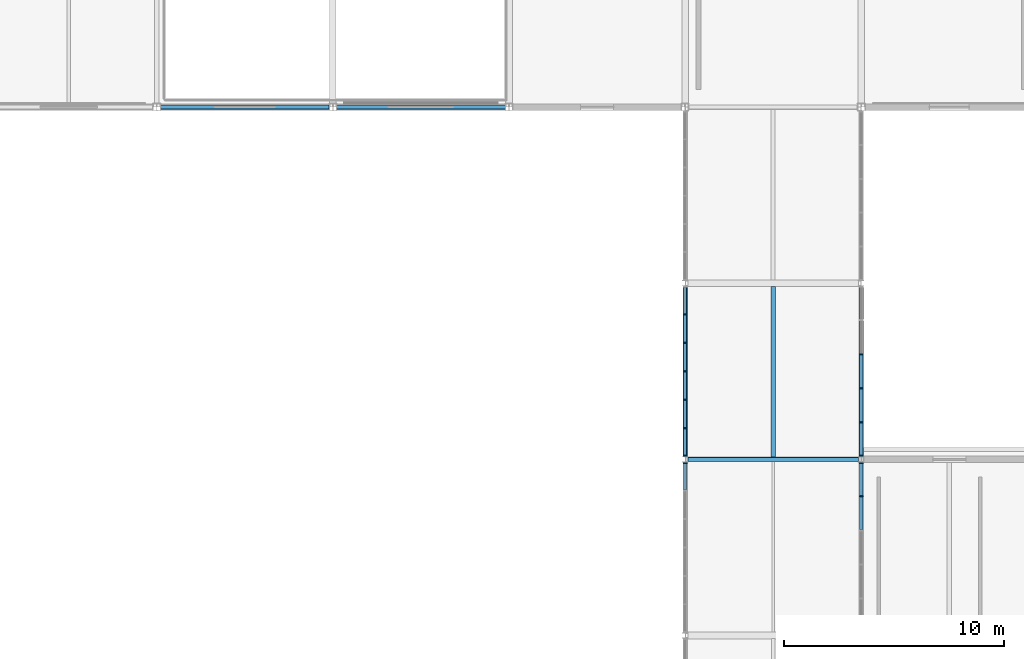
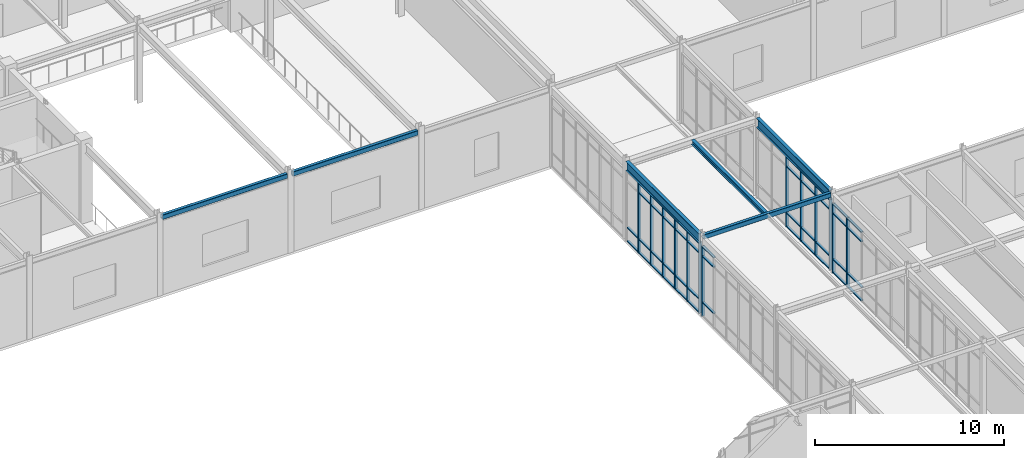
# One storey, part 58 of 184: 58 members, 6 beams, 4 elements without a shape of their own.
"""IFC4 building model written with IfcOpenShell, lengths in metres."""

from ifc_helpers import new_model, si_unit, direction, frame, origin, origin_2d, place, context, subcontext, project, spatial, rectangle, hollow_rectangle, i_section, extrude, material, material_profile, profile_set, type_object, element, aggregate, save


model = new_model("IFC4")

# Units and contexts
model_context = context("Model", 3, precision=1e-05, world=origin(), true_north=direction((0.0, 1.0)))
body_context = subcontext(model_context, "Body", "Model", "MODEL_VIEW")
ifc_project = project(units=[si_unit("LENGTHUNIT", "METRE"), si_unit("AREAUNIT", "SQUARE_METRE"), si_unit("VOLUMEUNIT", "CUBIC_METRE"), si_unit("PLANEANGLEUNIT", "RADIAN"), si_unit("MASSUNIT", "GRAM", prefix="KILO")], contexts=[model_context])

# Site, building, storey
site_placement = place(None, origin())
site = spatial("IfcSite", under=ifc_project, at=site_placement, CompositionType="ELEMENT")
building_placement = place(site_placement, origin())
building = spatial("IfcBuilding", under=site, at=building_placement, Name="Zhaolan Boulevard Law Courts", CompositionType="ELEMENT")
storey_placement = place(building_placement, frame((0.0, 0.0, 5.39990234375)))
storey = spatial("IfcBuildingStorey", under=building, at=storey_placement, Name="L01", CompositionType="ELEMENT", Elevation=5.39990234375)

# Curtain wall, member
ifc_material_1 = material(Name="Thermally broken aluminium and low-E glazing", Category="aluminium")
curtain_wall_type_1 = type_object("IfcCurtainWallType", Name="CURTAIN WALL M3", PredefinedType="USERDEFINED", material=ifc_material_1)
curtain_wall_1_placement = place(storey_placement, origin())
curtain_wall_1 = element("IfcCurtainWall", 1, at=curtain_wall_1_placement, inside=storey, type_object=curtain_wall_type_1, Name="Curtain Wall CW-L01-075", ObjectType="CURTAIN WALL", PredefinedType="USERDEFINED")
ifc_material_2 = material(Name="Fluorocarbon-coated aluminium 6063-T6", Category="aluminium")
ifc_material_profile_1 = material_profile(ifc_material_2, rectangle(XDim=0.179931640625, YDim=0.06494140625, at=origin_2d()), Name="AL65x180")
ifc_profile_set_1 = profile_set([ifc_material_profile_1], Name="Fluorocarbon-coated aluminium 6063-T6")
member_type_1 = type_object("IfcMemberType", Name="CWMULLION 65X180", PredefinedType="MULLION", material=ifc_profile_set_1)
member_1_placement = place(storey_placement, frame((116.0, 45.840576171875, 0.0), z_axis=(0.0, 0.0, 1.0), x_axis=(1.0, 0.0, 0.0)))
member_1 = element("IfcMember", 2, at=member_1_placement, type_object=member_type_1, Name="CW-L01-075 mullion 1", PredefinedType="MULLION", context=body_context, shape_type="SweptSolid", body=[
    extrude(rectangle(XDim=0.179931640625, YDim=0.06494140625, at=origin_2d()), origin(), (0.0, 0.0, 1.0), 4.552978515625),
])

# Curtain wall, members
ifc_material_3 = material(Name="Thermally broken aluminium and low-E glazing", Category="aluminium")
curtain_wall_type_2 = type_object("IfcCurtainWallType", Name="CURTAIN WALL M4", PredefinedType="USERDEFINED", material=ifc_material_3)
curtain_wall_2_placement = place(storey_placement, origin())
curtain_wall_2 = element("IfcCurtainWall", 3, at=curtain_wall_2_placement, inside=storey, type_object=curtain_wall_type_2, Name="Curtain Wall CW-L01-076", ObjectType="CURTAIN WALL", PredefinedType="USERDEFINED")
member_2_placement = place(storey_placement, frame((116.0, 52.58203125, 0.0), z_axis=(0.0, 0.0, 1.0), x_axis=(1.0, 0.0, 0.0)))
member_2 = element("IfcMember", 4, at=member_2_placement, type_object=member_type_1, Name="CW-L01-076 mullion 2", PredefinedType="MULLION", context=body_context, shape_type="SweptSolid", body=[
    extrude(rectangle(XDim=0.179931640625, YDim=0.06494140625, at=origin_2d()), origin(), (0.0, 0.0, 1.0), 4.552978515625),
])
member_3_placement = place(storey_placement, frame((116.0, 51.291015625, 0.0), z_axis=(0.0, 0.0, 1.0), x_axis=(1.0, 0.0, 0.0)))
member_3 = element("IfcMember", 5, at=member_3_placement, type_object=member_type_1, Name="CW-L01-076 mullion 3", PredefinedType="MULLION", context=body_context, shape_type="SweptSolid", body=[
    extrude(rectangle(XDim=0.179931640625, YDim=0.06494140625, at=origin_2d()), origin(), (0.0, 0.0, 1.0), 4.552978515625),
])
member_4_placement = place(storey_placement, frame((116.0, 50.0, 0.0), z_axis=(0.0, 0.0, 1.0), x_axis=(1.0, 0.0, 0.0)))
member_4 = element("IfcMember", 6, at=member_4_placement, type_object=member_type_1, Name="CW-L01-076 mullion 4", PredefinedType="MULLION", context=body_context, shape_type="SweptSolid", body=[
    extrude(rectangle(XDim=0.179931640625, YDim=0.06494140625, at=origin_2d()), origin(), (0.0, 0.0, 1.0), 4.552978515625),
])
member_5_placement = place(storey_placement, frame((116.0, 48.708984375, 0.0), z_axis=(0.0, 0.0, 1.0), x_axis=(1.0, 0.0, 0.0)))
member_5 = element("IfcMember", 7, at=member_5_placement, type_object=member_type_1, Name="CW-L01-076 mullion 5", PredefinedType="MULLION", context=body_context, shape_type="SweptSolid", body=[
    extrude(rectangle(XDim=0.179931640625, YDim=0.06494140625, at=origin_2d()), origin(), (0.0, 0.0, 1.0), 4.552978515625),
])
member_6_placement = place(storey_placement, frame((116.0, 47.41796875, 0.0), z_axis=(0.0, 0.0, 1.0), x_axis=(1.0, 0.0, 0.0)))
member_6 = element("IfcMember", 8, at=member_6_placement, type_object=member_type_1, Name="CW-L01-076 mullion 6", PredefinedType="MULLION", context=body_context, shape_type="SweptSolid", body=[
    extrude(rectangle(XDim=0.179931640625, YDim=0.06494140625, at=origin_2d()), origin(), (0.0, 0.0, 1.0), 4.552978515625),
])
member_7_placement = place(storey_placement, frame((116.0, 46.159423828125, 0.0), z_axis=(0.0, 0.0, 1.0), x_axis=(1.0, 0.0, 0.0)))
member_7 = element("IfcMember", 9, at=member_7_placement, type_object=member_type_1, Name="CW-L01-076 mullion 7", PredefinedType="MULLION", context=body_context, shape_type="SweptSolid", body=[
    extrude(rectangle(XDim=0.179931640625, YDim=0.06494140625, at=origin_2d()), origin(), (0.0, 0.0, 1.0), 4.552978515625),
])

ifc_material_4 = material(Name="Thermally broken aluminium and low-E glazing", Category="aluminium")
curtain_wall_type_3 = type_object("IfcCurtainWallType", Name="CURTAIN WALL M7", PredefinedType="USERDEFINED", material=ifc_material_4)
curtain_wall_3_placement = place(storey_placement, origin())
curtain_wall_3 = element("IfcCurtainWall", 10, at=curtain_wall_3_placement, inside=storey, type_object=curtain_wall_type_3, Name="Curtain Wall CW-L01-079", ObjectType="CURTAIN WALL", PredefinedType="USERDEFINED")
member_8_placement = place(storey_placement, frame((124.0, 44.32373046875, 0.0), z_axis=(0.0, 0.0, 1.0), x_axis=(-1.0, 0.0, 0.0)))
member_8 = element("IfcMember", 11, at=member_8_placement, type_object=member_type_1, Name="CW-L01-079 mullion 5", PredefinedType="MULLION", context=body_context, shape_type="SweptSolid", body=[
    extrude(rectangle(XDim=0.179931640625, YDim=0.06494140625, at=origin_2d()), origin(), (0.0, 0.0, 1.0), 4.503173828125),
])
member_9_placement = place(storey_placement, frame((124.0, 45.840576171875, 0.0), z_axis=(0.0, 0.0, 1.0), x_axis=(-1.0, 0.0, 0.0)))
member_9 = element("IfcMember", 12, at=member_9_placement, type_object=member_type_1, Name="CW-L01-079 mullion 6", PredefinedType="MULLION", context=body_context, shape_type="SweptSolid", body=[
    extrude(rectangle(XDim=0.179931640625, YDim=0.06494140625, at=origin_2d()), origin(), (0.0, 0.0, 1.0), 4.503173828125),
])

ifc_material_5 = material(Name="Thermally broken aluminium and low-E glazing", Category="aluminium")
curtain_wall_type_4 = type_object("IfcCurtainWallType", Name="CURTAIN WALL M8", PredefinedType="USERDEFINED", material=ifc_material_5)
curtain_wall_4_placement = place(storey_placement, origin())
curtain_wall_4 = element("IfcCurtainWall", 13, at=curtain_wall_4_placement, inside=storey, type_object=curtain_wall_type_4, Name="Curtain Wall CW-L01-080", ObjectType="CURTAIN WALL", PredefinedType="USERDEFINED")
member_10_placement = place(storey_placement, frame((124.0, 46.159423828125, 0.0), z_axis=(0.0, 0.0, 1.0), x_axis=(-1.0, 0.0, 0.0)))
member_10 = element("IfcMember", 14, at=member_10_placement, type_object=member_type_1, Name="CW-L01-080 mullion 1", PredefinedType="MULLION", context=body_context, shape_type="SweptSolid", body=[
    extrude(rectangle(XDim=0.179931640625, YDim=0.06494140625, at=origin_2d()), origin(), (0.0, 0.0, 1.0), 4.552978515625),
])
member_11_placement = place(storey_placement, frame((124.0, 47.67626953125, 0.0), z_axis=(0.0, 0.0, 1.0), x_axis=(-1.0, 0.0, 0.0)))
member_11 = element("IfcMember", 15, at=member_11_placement, type_object=member_type_1, Name="CW-L01-080 mullion 2", PredefinedType="MULLION", context=body_context, shape_type="SweptSolid", body=[
    extrude(rectangle(XDim=0.179931640625, YDim=0.06494140625, at=origin_2d()), origin(), (0.0, 0.0, 1.0), 4.552978515625),
])
member_12_placement = place(storey_placement, frame((124.0, 49.225341796875, 0.0), z_axis=(0.0, 0.0, 1.0), x_axis=(-1.0, 0.0, 0.0)))
member_12 = element("IfcMember", 16, at=member_12_placement, type_object=member_type_1, Name="CW-L01-080 mullion 3", PredefinedType="MULLION", context=body_context, shape_type="SweptSolid", body=[
    extrude(rectangle(XDim=0.179931640625, YDim=0.06494140625, at=origin_2d()), origin(), (0.0, 0.0, 1.0), 4.552978515625),
])
member_13_placement = place(storey_placement, frame((124.0, 50.774658203125, 0.0), z_axis=(0.0, 0.0, 1.0), x_axis=(-1.0, 0.0, 0.0)))
member_13 = element("IfcMember", 17, at=member_13_placement, type_object=member_type_1, Name="CW-L01-080 mullion 4", PredefinedType="MULLION", context=body_context, shape_type="SweptSolid", body=[
    extrude(rectangle(XDim=0.179931640625, YDim=0.06494140625, at=origin_2d()), origin(), (0.0, 0.0, 1.0), 4.552978515625),
])

# Member
ifc_material_6 = material(Name="Fluorocarbon-coated aluminium 6063-T6", Category="aluminium")
ifc_material_profile_2 = material_profile(ifc_material_6, rectangle(XDim=0.139892578125, YDim=0.06494140625, at=origin_2d()), Name="AL65x140")
ifc_profile_set_2 = profile_set([ifc_material_profile_2], Name="Fluorocarbon-coated aluminium 6063-T6")
member_type_2 = type_object("IfcMemberType", Name="CWTRANSOM 65X140", PredefinedType="USERDEFINED", material=ifc_profile_set_2)
member_14_placement = place(storey_placement, frame((116.0, 45.80810546875, 0.900146484375), z_axis=(0.0, -1.0, 0.0), x_axis=(1.0, 0.0, 0.0)))
member_14 = element("IfcMember", 18, at=member_14_placement, type_object=member_type_2, Name="CW-L01-075 transom 1.2", ObjectType="TRANSOM", PredefinedType="USERDEFINED", context=body_context, shape_type="SweptSolid", body=[
    extrude(rectangle(XDim=0.139892578125, YDim=0.06494140625, at=origin_2d()), origin(), (0.0, 0.0, 1.0), 1.193603515625),
])

member_15_placement = place(storey_placement, frame((116.0, 45.80810546875, 3.903076171875), z_axis=(0.0, -1.0, 0.0), x_axis=(1.0, 0.0, 0.0)))
member_15 = element("IfcMember", 19, at=member_15_placement, type_object=member_type_2, Name="CW-L01-075 transom 1.3", ObjectType="TRANSOM", PredefinedType="USERDEFINED", context=body_context, shape_type="SweptSolid", body=[
    extrude(rectangle(XDim=0.139892578125, YDim=0.06494140625, at=origin_2d()), origin(), (0.0, 0.0, 1.0), 1.193603515625),
])

member_16_placement = place(storey_placement, frame((116.0, 45.80810546875, 4.5205078125), z_axis=(0.0, -1.0, 0.0), x_axis=(1.0, 0.0, 0.0)))
member_16 = element("IfcMember", 20, at=member_16_placement, type_object=member_type_2, Name="CW-L01-075 transom 1.4", ObjectType="TRANSOM", PredefinedType="USERDEFINED", context=body_context, shape_type="SweptSolid", body=[
    extrude(rectangle(XDim=0.139892578125, YDim=0.06494140625, at=origin_2d()), origin(), (0.0, 0.0, 1.0), 1.193603515625),
])

aggregate(curtain_wall_1, [member_1, member_14, member_15, member_16])

member_17_placement = place(storey_placement, frame((116.0, 53.80810546875, 0.03271484375), z_axis=(0.0, -1.0, 0.0), x_axis=(1.0, 0.0, 0.0)))
member_17 = element("IfcMember", 21, at=member_17_placement, type_object=member_type_2, Name="CW-L01-076 transom 1.1", ObjectType="TRANSOM", PredefinedType="USERDEFINED", context=body_context, shape_type="SweptSolid", body=[
    extrude(rectangle(XDim=0.139892578125, YDim=0.06494140625, at=origin_2d()), origin(), (0.0, 0.0, 1.0), 1.193603515625),
])

member_18_placement = place(storey_placement, frame((116.0, 53.80810546875, 0.900146484375), z_axis=(0.0, -1.0, 0.0), x_axis=(1.0, 0.0, 0.0)))
member_18 = element("IfcMember", 22, at=member_18_placement, type_object=member_type_2, Name="CW-L01-076 transom 1.2", ObjectType="TRANSOM", PredefinedType="USERDEFINED", context=body_context, shape_type="SweptSolid", body=[
    extrude(rectangle(XDim=0.139892578125, YDim=0.06494140625, at=origin_2d()), origin(), (0.0, 0.0, 1.0), 1.193603515625),
])

member_19_placement = place(storey_placement, frame((116.0, 52.549560546875, 0.03271484375), z_axis=(0.0, -1.0, 0.0), x_axis=(1.0, 0.0, 0.0)))
member_19 = element("IfcMember", 23, at=member_19_placement, type_object=member_type_2, Name="CW-L01-076 transom 2.1", ObjectType="TRANSOM", PredefinedType="USERDEFINED", context=body_context, shape_type="SweptSolid", body=[
    extrude(rectangle(XDim=0.139892578125, YDim=0.06494140625, at=origin_2d()), origin(), (0.0, 0.0, 1.0), 1.22607421875),
])

member_20_placement = place(storey_placement, frame((116.0, 52.549560546875, 0.900146484375), z_axis=(0.0, -1.0, 0.0), x_axis=(1.0, 0.0, 0.0)))
member_20 = element("IfcMember", 24, at=member_20_placement, type_object=member_type_2, Name="CW-L01-076 transom 2.2", ObjectType="TRANSOM", PredefinedType="USERDEFINED", context=body_context, shape_type="SweptSolid", body=[
    extrude(rectangle(XDim=0.139892578125, YDim=0.06494140625, at=origin_2d()), origin(), (0.0, 0.0, 1.0), 1.22607421875),
])

member_21_placement = place(storey_placement, frame((116.0, 52.549560546875, 3.903076171875), z_axis=(0.0, -1.0, 0.0), x_axis=(1.0, 0.0, 0.0)))
member_21 = element("IfcMember", 25, at=member_21_placement, type_object=member_type_2, Name="CW-L01-076 transom 2.3", ObjectType="TRANSOM", PredefinedType="USERDEFINED", context=body_context, shape_type="SweptSolid", body=[
    extrude(rectangle(XDim=0.139892578125, YDim=0.06494140625, at=origin_2d()), origin(), (0.0, 0.0, 1.0), 1.22607421875),
])

member_22_placement = place(storey_placement, frame((116.0, 52.549560546875, 4.5205078125), z_axis=(0.0, -1.0, 0.0), x_axis=(1.0, 0.0, 0.0)))
member_22 = element("IfcMember", 26, at=member_22_placement, type_object=member_type_2, Name="CW-L01-076 transom 2.4", ObjectType="TRANSOM", PredefinedType="USERDEFINED", context=body_context, shape_type="SweptSolid", body=[
    extrude(rectangle(XDim=0.139892578125, YDim=0.06494140625, at=origin_2d()), origin(), (0.0, 0.0, 1.0), 1.22607421875),
])

member_23_placement = place(storey_placement, frame((116.0, 51.258544921875, 0.03271484375), z_axis=(0.0, -1.0, 0.0), x_axis=(1.0, 0.0, 0.0)))
member_23 = element("IfcMember", 27, at=member_23_placement, type_object=member_type_2, Name="CW-L01-076 transom 3.1", ObjectType="TRANSOM", PredefinedType="USERDEFINED", context=body_context, shape_type="SweptSolid", body=[
    extrude(rectangle(XDim=0.139892578125, YDim=0.06494140625, at=origin_2d()), origin(), (0.0, 0.0, 1.0), 1.22607421875),
])

member_24_placement = place(storey_placement, frame((116.0, 51.258544921875, 0.900146484375), z_axis=(0.0, -1.0, 0.0), x_axis=(1.0, 0.0, 0.0)))
member_24 = element("IfcMember", 28, at=member_24_placement, type_object=member_type_2, Name="CW-L01-076 transom 3.2", ObjectType="TRANSOM", PredefinedType="USERDEFINED", context=body_context, shape_type="SweptSolid", body=[
    extrude(rectangle(XDim=0.139892578125, YDim=0.06494140625, at=origin_2d()), origin(), (0.0, 0.0, 1.0), 1.22607421875),
])

member_25_placement = place(storey_placement, frame((116.0, 51.258544921875, 3.903076171875), z_axis=(0.0, -1.0, 0.0), x_axis=(1.0, 0.0, 0.0)))
member_25 = element("IfcMember", 29, at=member_25_placement, type_object=member_type_2, Name="CW-L01-076 transom 3.3", ObjectType="TRANSOM", PredefinedType="USERDEFINED", context=body_context, shape_type="SweptSolid", body=[
    extrude(rectangle(XDim=0.139892578125, YDim=0.06494140625, at=origin_2d()), origin(), (0.0, 0.0, 1.0), 1.22607421875),
])

member_26_placement = place(storey_placement, frame((116.0, 51.258544921875, 4.5205078125), z_axis=(0.0, -1.0, 0.0), x_axis=(1.0, 0.0, 0.0)))
member_26 = element("IfcMember", 30, at=member_26_placement, type_object=member_type_2, Name="CW-L01-076 transom 3.4", ObjectType="TRANSOM", PredefinedType="USERDEFINED", context=body_context, shape_type="SweptSolid", body=[
    extrude(rectangle(XDim=0.139892578125, YDim=0.06494140625, at=origin_2d()), origin(), (0.0, 0.0, 1.0), 1.22607421875),
])

member_27_placement = place(storey_placement, frame((116.0, 49.967529296875, 0.03271484375), z_axis=(0.0, -1.0, 0.0), x_axis=(1.0, 0.0, 0.0)))
member_27 = element("IfcMember", 31, at=member_27_placement, type_object=member_type_2, Name="CW-L01-076 transom 4.1", ObjectType="TRANSOM", PredefinedType="USERDEFINED", context=body_context, shape_type="SweptSolid", body=[
    extrude(rectangle(XDim=0.139892578125, YDim=0.06494140625, at=origin_2d()), origin(), (0.0, 0.0, 1.0), 1.22607421875),
])

member_28_placement = place(storey_placement, frame((116.0, 49.967529296875, 0.900146484375), z_axis=(0.0, -1.0, 0.0), x_axis=(1.0, 0.0, 0.0)))
member_28 = element("IfcMember", 32, at=member_28_placement, type_object=member_type_2, Name="CW-L01-076 transom 4.2", ObjectType="TRANSOM", PredefinedType="USERDEFINED", context=body_context, shape_type="SweptSolid", body=[
    extrude(rectangle(XDim=0.139892578125, YDim=0.06494140625, at=origin_2d()), origin(), (0.0, 0.0, 1.0), 1.22607421875),
])

member_29_placement = place(storey_placement, frame((116.0, 49.967529296875, 3.903076171875), z_axis=(0.0, -1.0, 0.0), x_axis=(1.0, 0.0, 0.0)))
member_29 = element("IfcMember", 33, at=member_29_placement, type_object=member_type_2, Name="CW-L01-076 transom 4.3", ObjectType="TRANSOM", PredefinedType="USERDEFINED", context=body_context, shape_type="SweptSolid", body=[
    extrude(rectangle(XDim=0.139892578125, YDim=0.06494140625, at=origin_2d()), origin(), (0.0, 0.0, 1.0), 1.22607421875),
])

member_30_placement = place(storey_placement, frame((116.0, 49.967529296875, 4.5205078125), z_axis=(0.0, -1.0, 0.0), x_axis=(1.0, 0.0, 0.0)))
member_30 = element("IfcMember", 34, at=member_30_placement, type_object=member_type_2, Name="CW-L01-076 transom 4.4", ObjectType="TRANSOM", PredefinedType="USERDEFINED", context=body_context, shape_type="SweptSolid", body=[
    extrude(rectangle(XDim=0.139892578125, YDim=0.06494140625, at=origin_2d()), origin(), (0.0, 0.0, 1.0), 1.22607421875),
])

member_31_placement = place(storey_placement, frame((116.0, 48.676513671875, 0.03271484375), z_axis=(0.0, -1.0, 0.0), x_axis=(1.0, 0.0, 0.0)))
member_31 = element("IfcMember", 35, at=member_31_placement, type_object=member_type_2, Name="CW-L01-076 transom 5.1", ObjectType="TRANSOM", PredefinedType="USERDEFINED", context=body_context, shape_type="SweptSolid", body=[
    extrude(rectangle(XDim=0.139892578125, YDim=0.06494140625, at=origin_2d()), origin(), (0.0, 0.0, 1.0), 1.22607421875),
])

member_32_placement = place(storey_placement, frame((116.0, 48.676513671875, 0.900146484375), z_axis=(0.0, -1.0, 0.0), x_axis=(1.0, 0.0, 0.0)))
member_32 = element("IfcMember", 36, at=member_32_placement, type_object=member_type_2, Name="CW-L01-076 transom 5.2", ObjectType="TRANSOM", PredefinedType="USERDEFINED", context=body_context, shape_type="SweptSolid", body=[
    extrude(rectangle(XDim=0.139892578125, YDim=0.06494140625, at=origin_2d()), origin(), (0.0, 0.0, 1.0), 1.22607421875),
])

member_33_placement = place(storey_placement, frame((116.0, 48.676513671875, 3.903076171875), z_axis=(0.0, -1.0, 0.0), x_axis=(1.0, 0.0, 0.0)))
member_33 = element("IfcMember", 37, at=member_33_placement, type_object=member_type_2, Name="CW-L01-076 transom 5.3", ObjectType="TRANSOM", PredefinedType="USERDEFINED", context=body_context, shape_type="SweptSolid", body=[
    extrude(rectangle(XDim=0.139892578125, YDim=0.06494140625, at=origin_2d()), origin(), (0.0, 0.0, 1.0), 1.22607421875),
])

member_34_placement = place(storey_placement, frame((116.0, 48.676513671875, 4.5205078125), z_axis=(0.0, -1.0, 0.0), x_axis=(1.0, 0.0, 0.0)))
member_34 = element("IfcMember", 38, at=member_34_placement, type_object=member_type_2, Name="CW-L01-076 transom 5.4", ObjectType="TRANSOM", PredefinedType="USERDEFINED", context=body_context, shape_type="SweptSolid", body=[
    extrude(rectangle(XDim=0.139892578125, YDim=0.06494140625, at=origin_2d()), origin(), (0.0, 0.0, 1.0), 1.22607421875),
])

member_35_placement = place(storey_placement, frame((116.0, 47.385498046875, 0.03271484375), z_axis=(0.0, -1.0, 0.0), x_axis=(1.0, 0.0, 0.0)))
member_35 = element("IfcMember", 39, at=member_35_placement, type_object=member_type_2, Name="CW-L01-076 transom 6.1", ObjectType="TRANSOM", PredefinedType="USERDEFINED", context=body_context, shape_type="SweptSolid", body=[
    extrude(rectangle(XDim=0.139892578125, YDim=0.06494140625, at=origin_2d()), origin(), (0.0, 0.0, 1.0), 1.193603515625),
])

member_36_placement = place(storey_placement, frame((116.0, 47.385498046875, 0.900146484375), z_axis=(0.0, -1.0, 0.0), x_axis=(1.0, 0.0, 0.0)))
member_36 = element("IfcMember", 40, at=member_36_placement, type_object=member_type_2, Name="CW-L01-076 transom 6.2", ObjectType="TRANSOM", PredefinedType="USERDEFINED", context=body_context, shape_type="SweptSolid", body=[
    extrude(rectangle(XDim=0.139892578125, YDim=0.06494140625, at=origin_2d()), origin(), (0.0, 0.0, 1.0), 1.193603515625),
])

member_37_placement = place(storey_placement, frame((116.0, 47.385498046875, 3.903076171875), z_axis=(0.0, -1.0, 0.0), x_axis=(1.0, 0.0, 0.0)))
member_37 = element("IfcMember", 41, at=member_37_placement, type_object=member_type_2, Name="CW-L01-076 transom 6.3", ObjectType="TRANSOM", PredefinedType="USERDEFINED", context=body_context, shape_type="SweptSolid", body=[
    extrude(rectangle(XDim=0.139892578125, YDim=0.06494140625, at=origin_2d()), origin(), (0.0, 0.0, 1.0), 1.193603515625),
])

member_38_placement = place(storey_placement, frame((116.0, 47.385498046875, 4.5205078125), z_axis=(0.0, -1.0, 0.0), x_axis=(1.0, 0.0, 0.0)))
member_38 = element("IfcMember", 42, at=member_38_placement, type_object=member_type_2, Name="CW-L01-076 transom 6.4", ObjectType="TRANSOM", PredefinedType="USERDEFINED", context=body_context, shape_type="SweptSolid", body=[
    extrude(rectangle(XDim=0.139892578125, YDim=0.06494140625, at=origin_2d()), origin(), (0.0, 0.0, 1.0), 1.193603515625),
])

aggregate(curtain_wall_2, [member_2, member_3, member_4, member_5, member_6, member_7, member_17, member_18, member_19, member_20, member_21, member_22, member_23, member_24, member_25, member_26, member_27, member_28, member_29, member_30, member_31, member_32, member_33, member_34, member_35, member_36, member_37, member_38])

member_39_placement = place(storey_placement, frame((124.0, 42.80712890625, 0.03271484375), z_axis=(0.0, 1.0, 0.0), x_axis=(-1.0, 0.0, 0.0)))
member_39 = element("IfcMember", 43, at=member_39_placement, type_object=member_type_2, Name="CW-L01-079 transom 4.1", ObjectType="TRANSOM", PredefinedType="USERDEFINED", context=body_context, shape_type="SweptSolid", body=[
    extrude(rectangle(XDim=0.139892578125, YDim=0.06494140625, at=origin_2d()), origin(), (0.0, 0.0, 1.0), 1.484130859375),
])

member_40_placement = place(storey_placement, frame((124.0, 42.80712890625, 0.900146484375), z_axis=(0.0, 1.0, 0.0), x_axis=(-1.0, 0.0, 0.0)))
member_40 = element("IfcMember", 44, at=member_40_placement, type_object=member_type_2, Name="CW-L01-079 transom 4.2", ObjectType="TRANSOM", PredefinedType="USERDEFINED", context=body_context, shape_type="SweptSolid", body=[
    extrude(rectangle(XDim=0.139892578125, YDim=0.06494140625, at=origin_2d()), origin(), (0.0, 0.0, 1.0), 1.484130859375),
])

member_41_placement = place(storey_placement, frame((124.0, 42.80712890625, 3.85302734375), z_axis=(0.0, 1.0, 0.0), x_axis=(-1.0, 0.0, 0.0)))
member_41 = element("IfcMember", 45, at=member_41_placement, type_object=member_type_2, Name="CW-L01-079 transom 4.3", ObjectType="TRANSOM", PredefinedType="USERDEFINED", context=body_context, shape_type="SweptSolid", body=[
    extrude(rectangle(XDim=0.139892578125, YDim=0.06494140625, at=origin_2d()), origin(), (0.0, 0.0, 1.0), 1.484130859375),
])

member_42_placement = place(storey_placement, frame((124.0, 42.80712890625, 4.470703125), z_axis=(0.0, 1.0, 0.0), x_axis=(-1.0, 0.0, 0.0)))
member_42 = element("IfcMember", 46, at=member_42_placement, type_object=member_type_2, Name="CW-L01-079 transom 4.4", ObjectType="TRANSOM", PredefinedType="USERDEFINED", context=body_context, shape_type="SweptSolid", body=[
    extrude(rectangle(XDim=0.139892578125, YDim=0.06494140625, at=origin_2d()), origin(), (0.0, 0.0, 1.0), 1.484130859375),
])

member_43_placement = place(storey_placement, frame((124.0, 44.356201171875, 0.03271484375), z_axis=(0.0, 1.0, 0.0), x_axis=(-1.0, 0.0, 0.0)))
member_43 = element("IfcMember", 47, at=member_43_placement, type_object=member_type_2, Name="CW-L01-079 transom 5.1", ObjectType="TRANSOM", PredefinedType="USERDEFINED", context=body_context, shape_type="SweptSolid", body=[
    extrude(rectangle(XDim=0.139892578125, YDim=0.06494140625, at=origin_2d()), origin(), (0.0, 0.0, 1.0), 1.451904296875),
])

member_44_placement = place(storey_placement, frame((124.0, 44.356201171875, 0.900146484375), z_axis=(0.0, 1.0, 0.0), x_axis=(-1.0, 0.0, 0.0)))
member_44 = element("IfcMember", 48, at=member_44_placement, type_object=member_type_2, Name="CW-L01-079 transom 5.2", ObjectType="TRANSOM", PredefinedType="USERDEFINED", context=body_context, shape_type="SweptSolid", body=[
    extrude(rectangle(XDim=0.139892578125, YDim=0.06494140625, at=origin_2d()), origin(), (0.0, 0.0, 1.0), 1.451904296875),
])

member_45_placement = place(storey_placement, frame((124.0, 44.356201171875, 3.85302734375), z_axis=(0.0, 1.0, 0.0), x_axis=(-1.0, 0.0, 0.0)))
member_45 = element("IfcMember", 49, at=member_45_placement, type_object=member_type_2, Name="CW-L01-079 transom 5.3", ObjectType="TRANSOM", PredefinedType="USERDEFINED", context=body_context, shape_type="SweptSolid", body=[
    extrude(rectangle(XDim=0.139892578125, YDim=0.06494140625, at=origin_2d()), origin(), (0.0, 0.0, 1.0), 1.451904296875),
])

member_46_placement = place(storey_placement, frame((124.0, 44.356201171875, 4.470703125), z_axis=(0.0, 1.0, 0.0), x_axis=(-1.0, 0.0, 0.0)))
member_46 = element("IfcMember", 50, at=member_46_placement, type_object=member_type_2, Name="CW-L01-079 transom 5.4", ObjectType="TRANSOM", PredefinedType="USERDEFINED", context=body_context, shape_type="SweptSolid", body=[
    extrude(rectangle(XDim=0.139892578125, YDim=0.06494140625, at=origin_2d()), origin(), (0.0, 0.0, 1.0), 1.451904296875),
])

aggregate(curtain_wall_3, [member_8, member_9, member_39, member_40, member_41, member_42, member_43, member_44, member_45, member_46])

member_47_placement = place(storey_placement, frame((124.0, 46.19189453125, 0.03271484375), z_axis=(0.0, 1.0, 0.0), x_axis=(-1.0, 0.0, 0.0)))
member_47 = element("IfcMember", 51, at=member_47_placement, type_object=member_type_2, Name="CW-L01-080 transom 1.1", ObjectType="TRANSOM", PredefinedType="USERDEFINED", context=body_context, shape_type="SweptSolid", body=[
    extrude(rectangle(XDim=0.139892578125, YDim=0.06494140625, at=origin_2d()), origin(), (0.0, 0.0, 1.0), 1.451904296875),
])

member_48_placement = place(storey_placement, frame((124.0, 46.19189453125, 0.900146484375), z_axis=(0.0, 1.0, 0.0), x_axis=(-1.0, 0.0, 0.0)))
member_48 = element("IfcMember", 52, at=member_48_placement, type_object=member_type_2, Name="CW-L01-080 transom 1.2", ObjectType="TRANSOM", PredefinedType="USERDEFINED", context=body_context, shape_type="SweptSolid", body=[
    extrude(rectangle(XDim=0.139892578125, YDim=0.06494140625, at=origin_2d()), origin(), (0.0, 0.0, 1.0), 1.451904296875),
])

member_49_placement = place(storey_placement, frame((124.0, 46.19189453125, 3.903076171875), z_axis=(0.0, 1.0, 0.0), x_axis=(-1.0, 0.0, 0.0)))
member_49 = element("IfcMember", 53, at=member_49_placement, type_object=member_type_2, Name="CW-L01-080 transom 1.3", ObjectType="TRANSOM", PredefinedType="USERDEFINED", context=body_context, shape_type="SweptSolid", body=[
    extrude(rectangle(XDim=0.139892578125, YDim=0.06494140625, at=origin_2d()), origin(), (0.0, 0.0, 1.0), 1.451904296875),
])

member_50_placement = place(storey_placement, frame((124.0, 46.19189453125, 4.5205078125), z_axis=(0.0, 1.0, 0.0), x_axis=(-1.0, 0.0, 0.0)))
member_50 = element("IfcMember", 54, at=member_50_placement, type_object=member_type_2, Name="CW-L01-080 transom 1.4", ObjectType="TRANSOM", PredefinedType="USERDEFINED", context=body_context, shape_type="SweptSolid", body=[
    extrude(rectangle(XDim=0.139892578125, YDim=0.06494140625, at=origin_2d()), origin(), (0.0, 0.0, 1.0), 1.451904296875),
])

member_51_placement = place(storey_placement, frame((124.0, 47.708740234375, 0.03271484375), z_axis=(0.0, 1.0, 0.0), x_axis=(-1.0, 0.0, 0.0)))
member_51 = element("IfcMember", 55, at=member_51_placement, type_object=member_type_2, Name="CW-L01-080 transom 2.1", ObjectType="TRANSOM", PredefinedType="USERDEFINED", context=body_context, shape_type="SweptSolid", body=[
    extrude(rectangle(XDim=0.139892578125, YDim=0.06494140625, at=origin_2d()), origin(), (0.0, 0.0, 1.0), 1.484130859375),
])

member_52_placement = place(storey_placement, frame((124.0, 47.708740234375, 0.900146484375), z_axis=(0.0, 1.0, 0.0), x_axis=(-1.0, 0.0, 0.0)))
member_52 = element("IfcMember", 56, at=member_52_placement, type_object=member_type_2, Name="CW-L01-080 transom 2.2", ObjectType="TRANSOM", PredefinedType="USERDEFINED", context=body_context, shape_type="SweptSolid", body=[
    extrude(rectangle(XDim=0.139892578125, YDim=0.06494140625, at=origin_2d()), origin(), (0.0, 0.0, 1.0), 1.484130859375),
])

member_53_placement = place(storey_placement, frame((124.0, 47.708740234375, 3.903076171875), z_axis=(0.0, 1.0, 0.0), x_axis=(-1.0, 0.0, 0.0)))
member_53 = element("IfcMember", 57, at=member_53_placement, type_object=member_type_2, Name="CW-L01-080 transom 2.3", ObjectType="TRANSOM", PredefinedType="USERDEFINED", context=body_context, shape_type="SweptSolid", body=[
    extrude(rectangle(XDim=0.139892578125, YDim=0.06494140625, at=origin_2d()), origin(), (0.0, 0.0, 1.0), 1.484130859375),
])

member_54_placement = place(storey_placement, frame((124.0, 47.708740234375, 4.5205078125), z_axis=(0.0, 1.0, 0.0), x_axis=(-1.0, 0.0, 0.0)))
member_54 = element("IfcMember", 58, at=member_54_placement, type_object=member_type_2, Name="CW-L01-080 transom 2.4", ObjectType="TRANSOM", PredefinedType="USERDEFINED", context=body_context, shape_type="SweptSolid", body=[
    extrude(rectangle(XDim=0.139892578125, YDim=0.06494140625, at=origin_2d()), origin(), (0.0, 0.0, 1.0), 1.484130859375),
])

member_55_placement = place(storey_placement, frame((124.0, 49.2578125, 0.03271484375), z_axis=(0.0, 1.0, 0.0), x_axis=(-1.0, 0.0, 0.0)))
member_55 = element("IfcMember", 59, at=member_55_placement, type_object=member_type_2, Name="CW-L01-080 transom 3.1", ObjectType="TRANSOM", PredefinedType="USERDEFINED", context=body_context, shape_type="SweptSolid", body=[
    extrude(rectangle(XDim=0.139892578125, YDim=0.06494140625, at=origin_2d()), origin(), (0.0, 0.0, 1.0), 1.484375),
])

member_56_placement = place(storey_placement, frame((124.0, 49.2578125, 0.900146484375), z_axis=(0.0, 1.0, 0.0), x_axis=(-1.0, 0.0, 0.0)))
member_56 = element("IfcMember", 60, at=member_56_placement, type_object=member_type_2, Name="CW-L01-080 transom 3.2", ObjectType="TRANSOM", PredefinedType="USERDEFINED", context=body_context, shape_type="SweptSolid", body=[
    extrude(rectangle(XDim=0.139892578125, YDim=0.06494140625, at=origin_2d()), origin(), (0.0, 0.0, 1.0), 1.484375),
])

member_57_placement = place(storey_placement, frame((124.0, 49.2578125, 3.903076171875), z_axis=(0.0, 1.0, 0.0), x_axis=(-1.0, 0.0, 0.0)))
member_57 = element("IfcMember", 61, at=member_57_placement, type_object=member_type_2, Name="CW-L01-080 transom 3.3", ObjectType="TRANSOM", PredefinedType="USERDEFINED", context=body_context, shape_type="SweptSolid", body=[
    extrude(rectangle(XDim=0.139892578125, YDim=0.06494140625, at=origin_2d()), origin(), (0.0, 0.0, 1.0), 1.484375),
])

member_58_placement = place(storey_placement, frame((124.0, 49.2578125, 4.5205078125), z_axis=(0.0, 1.0, 0.0), x_axis=(-1.0, 0.0, 0.0)))
member_58 = element("IfcMember", 62, at=member_58_placement, type_object=member_type_2, Name="CW-L01-080 transom 3.4", ObjectType="TRANSOM", PredefinedType="USERDEFINED", context=body_context, shape_type="SweptSolid", body=[
    extrude(rectangle(XDim=0.139892578125, YDim=0.06494140625, at=origin_2d()), origin(), (0.0, 0.0, 1.0), 1.484375),
])

aggregate(curtain_wall_4, [member_10, member_11, member_12, member_13, member_47, member_48, member_49, member_50, member_51, member_52, member_53, member_54, member_55, member_56, member_57, member_58])

# Beams
ifc_material_7 = material(Name="Structural steel Q355B", Category="steel")
ifc_material_profile_3 = material_profile(ifc_material_7, i_section(OverallWidth=0.199951171875, OverallDepth=0.60009765625, WebThickness=0.010986328125, FlangeThickness=0.01708984375, FilletRadius=0.02001953125, at=origin_2d()), Name="HN600x200")
ifc_profile_set_3 = profile_set([ifc_material_profile_3], Name="Structural steel Q355B")
beam_type_1 = type_object("IfcBeamType", Name="GIRDER HN600", PredefinedType="BEAM", material=ifc_profile_set_3)
for number, where, z_axis, x_axis, name in (
    (63, (116.0, 46.12109375, 4.8681640625), (0.0, 1.0, 0.0), (-1.0, 0.0, 0.0), "Beam BY-L02-15-G-H"),
    (64, (124.0, 46.12109375, 4.8681640625), (0.0, 1.0, 0.0), (-1.0, 0.0, 0.0), "Beam BY-L02-16-G-H"),
):
    element("IfcBeam", number, at=place(storey_placement, frame(where, z_axis=z_axis, x_axis=x_axis)), inside=storey, type_object=beam_type_1, Name=name, PredefinedType="BEAM", context=body_context, shape_type="SweptSolid", body=[
        extrude(i_section(OverallWidth=0.199951171875, OverallDepth=0.60009765625, WebThickness=0.010986328125, FlangeThickness=0.01708984375, FilletRadius=0.02001953125, at=origin_2d()), origin(), (0.0, 0.0, 1.0), 7.7578125),
    ])
ifc_material_8 = material(Name="Structural steel Q355B", Category="steel")
ifc_material_profile_4 = material_profile(ifc_material_8, i_section(OverallWidth=0.199951171875, OverallDepth=0.2939453125, WebThickness=0.008056640625, FlangeThickness=0.011962890625, FilletRadius=0.01611328125, at=origin_2d()), Name="HM294x200")
ifc_profile_set_4 = profile_set([ifc_material_profile_4], Name="Structural steel Q355B")
beam_type_2 = type_object("IfcBeamType", Name="JOIST HM294", PredefinedType="JOIST", material=ifc_profile_set_4)
beam_1_placement = place(storey_placement, frame((120.0, 46.095947265625, 5.02099609375), z_axis=(0.0, 1.0, 0.0), x_axis=(-1.0, 0.0, 0.0)))
element("IfcBeam", 65, at=beam_1_placement, inside=storey, type_object=beam_type_2, Name="Composite Joist J-L02-15G", PredefinedType="JOIST", context=body_context, shape_type="SweptSolid", body=[
    extrude(i_section(OverallWidth=0.199951171875, OverallDepth=0.2939453125, WebThickness=0.008056640625, FlangeThickness=0.011962890625, FilletRadius=0.01611328125, at=origin_2d()), origin(), (0.0, 0.0, 1.0), 7.758056640625),
])
ifc_material_9 = material(Name="Structural steel Q355B", Category="steel")
ifc_material_profile_5 = material_profile(ifc_material_9, hollow_rectangle(XDim=0.199951171875, YDim=0.300048828125, WallThickness=0.011962890625, InnerFilletRadius=0.011962890625, OuterFilletRadius=0.02392578125, at=origin_2d()), Name="HSS300x200x12")
ifc_profile_set_5 = profile_set([ifc_material_profile_5], Name="Structural steel Q355B")
beam_type_3 = type_object("IfcBeamType", Name="SPANDREL HSS300", PredefinedType="SPANDREL", material=ifc_profile_set_5)
beam_2_placement = place(storey_placement, frame((116.12109375, 46.0, 5.01806640625), z_axis=(1.0, 0.0, 0.0), x_axis=(0.0, 1.0, 0.0)))
element("IfcBeam", 66, at=beam_2_placement, inside=storey, type_object=beam_type_3, Name="Beam BX-L02-15-16-G", PredefinedType="SPANDREL", context=body_context, shape_type="SweptSolid", body=[
    extrude(hollow_rectangle(XDim=0.199951171875, YDim=0.300048828125, WallThickness=0.011962890625, InnerFilletRadius=0.011962890625, OuterFilletRadius=0.02392578125, at=origin_2d()), origin(), (0.0, 0.0, 1.0), 7.7578125),
])
for number, where, z_axis, x_axis, name in (
    (67, (92.1708984375, 62.0, 4.968017578125), (1.0, 0.0, 0.0), (0.0, 1.0, 0.0), "Beam BX-L02-12-13-J"),
    (68, (100.1708984375, 62.0, 4.968017578125), (1.0, 0.0, 0.0), (0.0, 1.0, 0.0), "Beam BX-L02-13-14-J"),
):
    element("IfcBeam", number, at=place(storey_placement, frame(where, z_axis=z_axis, x_axis=x_axis)), inside=storey, type_object=beam_type_3, Name=name, PredefinedType="SPANDREL", context=body_context, shape_type="SweptSolid", body=[
        extrude(hollow_rectangle(XDim=0.199951171875, YDim=0.300048828125, WallThickness=0.011962890625, InnerFilletRadius=0.011962890625, OuterFilletRadius=0.02392578125, at=origin_2d()), origin(), (0.0, 0.0, 1.0), 7.658203125),
    ])

save(model, "model.ifc")
